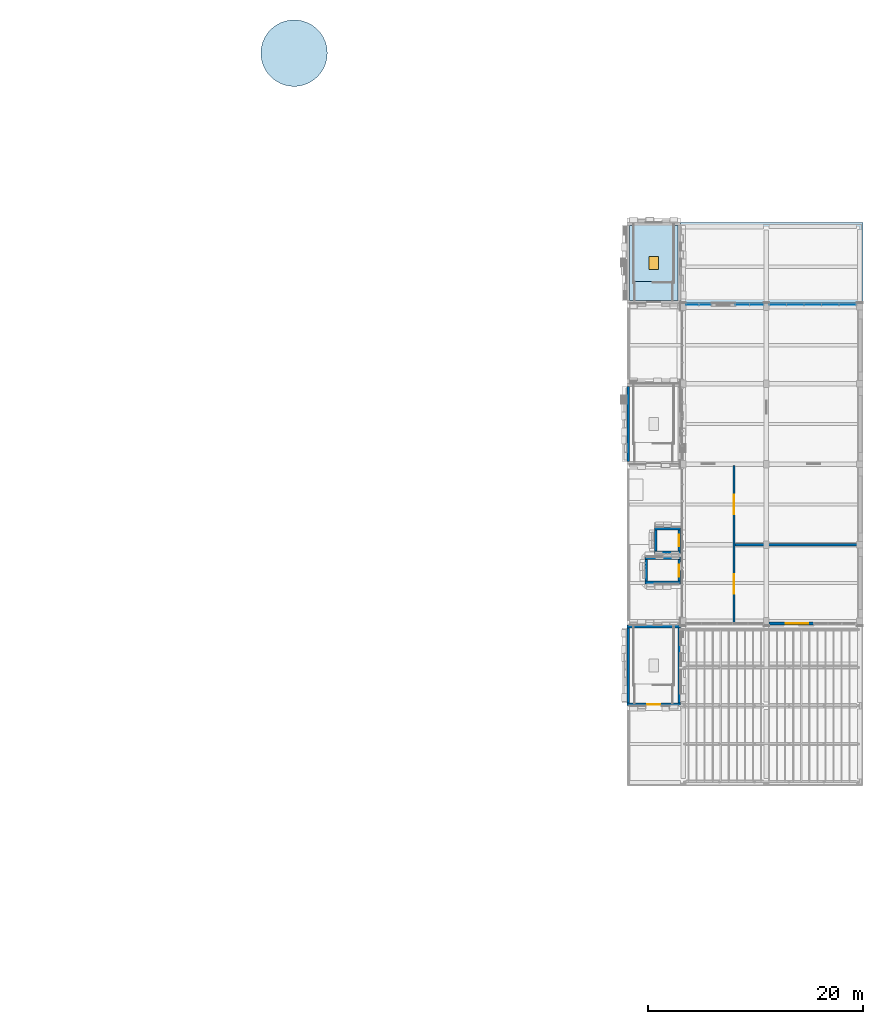
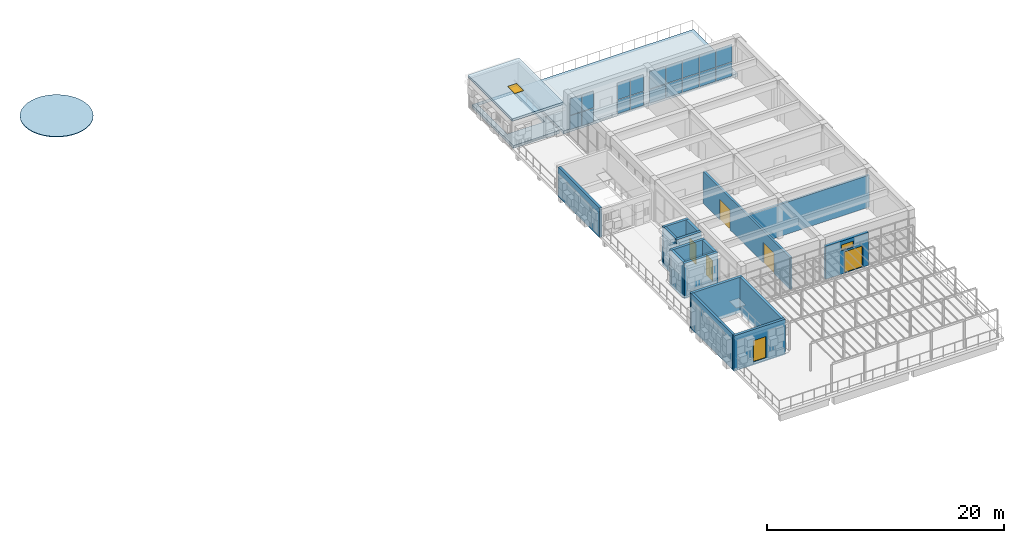
# One storey, part 17 of 26: 18 plates, 16 walls, 6 doors, 4 slabs, 2 windows, 8 openings, 3 elements without a shape of their own.
"""IFC4 building model written with IfcOpenShell, lengths in metres."""

from ifc_helpers import new_model, si_unit, direction, frame, frame_2d, origin, origin_2d, place, context, subcontext, project, spatial, polyline, rectangle, outline, extrude, material, layer, layer_set, type_object, element, fill, aggregate, save


model = new_model("IFC4")

# Units and contexts
model_context = context("Model", 3, precision=1e-05, world=origin(), true_north=direction((0.0, 1.0)))
body_context = subcontext(model_context, "Body", "Model", "MODEL_VIEW")
ifc_project = project(units=[si_unit("LENGTHUNIT", "METRE"), si_unit("AREAUNIT", "SQUARE_METRE"), si_unit("VOLUMEUNIT", "CUBIC_METRE"), si_unit("PLANEANGLEUNIT", "RADIAN"), si_unit("MASSUNIT", "GRAM", prefix="KILO")], contexts=[model_context])

# Site, building, storey
site_placement = place(None, origin())
site = spatial("IfcSite", under=ifc_project, at=site_placement, CompositionType="ELEMENT")
building_placement = place(site_placement, origin())
building = spatial("IfcBuilding", under=site, at=building_placement, Name="Sun Court Science Centre", CompositionType="ELEMENT")
storey_placement = place(building_placement, frame((0.0, 0.0, 29.25)))
storey = spatial("IfcBuildingStorey", under=building, at=storey_placement, Name="L06", CompositionType="ELEMENT", Elevation=29.25)

# Slabs
ifc_material_1 = material(Name="Zinc roofing", Category="metal")
ifc_layer_1 = layer(ifc_material_1, 0.06005859375)
ifc_layer_set_1 = layer_set([ifc_layer_1], Name="Zinc roofing")
slab_type_1 = type_object("IfcSlabType", Name="Dome roof panel 60", PredefinedType="ROOF", material=ifc_layer_set_1)
slab_1_placement = place(storey_placement, frame((54.0546875, 97.309814453125, 0.072509765625), z_axis=(0.0, 0.0, 1.0), x_axis=(-0.245904641839, 0.969294025114, 0.0)))
element("IfcSlab", 1, at=slab_1_placement, inside=storey, type_object=slab_type_1, Name="Dome crown cap", PredefinedType="ROOF", context=body_context, shape_type="SweptSolid", body=[
    extrude(outline(polyline([(0.0, 0.0), (0.5113056058420055, 0.0), (1.0159152342552862, 0.08380987974398371), (1.4997893650165057, 0.2497020211000971), (1.949647953754489, 0.4929855095186903), (2.353447217251118, 0.8068926749157697), (2.7000264159690306, 1.1831724503970953), (2.9798743243091725, 1.6111402988590853), (3.1856095131143918, 2.079571365381616), (3.311323458429693, 2.5751040041972706), (3.353774253355829, 3.084959436654643), (3.3117862549198054, 3.5945753107273353), (3.1864972197320753, 4.090565500229057), (2.981174700844991, 4.55900356115698), (2.701696330256399, 4.987315884084532), (2.3554231367743923, 5.363811903265898), (1.9517929047414064, 5.678037314108319), (1.502323671236918, 5.921780684681444), (1.0185970058560487, 6.088073838613372), (0.5140981221948099, 6.172488151556658), (0.002555872303704465, 6.172548186869607), (-0.5018171120604764, 6.088678271812675), (-0.9856912428216957, 5.922786130456561), (-1.4357864756087793, 5.679562677350917), (-1.8393490950563078, 5.365595476640888), (-2.1859282937742206, 4.989315701159564), (-2.4660128461634625, 4.561407888010523), (-2.671511390919582, 4.092916786175042), (-2.7972253362348836, 3.5973841473593877), (-2.8399127752101188, 3.0875887502149646), (-2.7976881327249954, 2.5779128408293235), (-2.6723990975372653, 2.081922651327601), (-2.467313222699281, 1.6135446257126271), (-2.1875982080615892, 1.1851722674721263), (-1.8413250145795825, 0.8086762482907608), (-1.4379314265956966, 0.4945108727612889), (-0.988225549042108, 0.25070746687521456), (-0.5044988836612389, 0.08441431294328623), (0.0, 0.0)])), origin(), (0.0, 0.0, -1.0), 0.06005859375),
])
ifc_material_2 = material(Name="Concrete C25/30", Category="concrete")
ifc_layer_2 = layer(ifc_material_2, 0.300048828125)
ifc_layer_set_2 = layer_set([ifc_layer_2], Name="Concrete C25/30")
slab_type_2 = type_object("IfcSlabType", Name="RC floor slab 300", PredefinedType="FLOOR", material=ifc_layer_set_2)
slab_2_placement = place(storey_placement, frame((0.0, 0.0, -0.300048828125)))
element("IfcSlab", 2, at=slab_2_placement, inside=storey, type_object=slab_type_2, Name="Stair SL4 landing slab L06", PredefinedType="FLOOR", context=body_context, shape_type="SweptSolid", body=[
    extrude(outline(polyline([(82.25, 80.75), (82.25, 73.75), (86.75, 73.75), (86.75, 80.75), (82.25, 80.75)]), holes=[polyline([(86.322998046875, 80.7451171875), (86.322998046875, 75.5029296875), (82.677001953125, 75.5029296875), (82.677001953125, 80.7451171875), (86.322998046875, 80.7451171875)])]), origin(), (0.0, 0.0, 1.0), 0.300048828125),
])

# Slab, opening, window
ifc_material_3 = material(Name="Concrete C25/30", Category="concrete")
ifc_layer_3 = layer(ifc_material_3, 0.25)
ifc_layer_set_3 = layer_set([ifc_layer_3], Name="Concrete C25/30")
slab_type_3 = type_object("IfcSlabType", Name="RC head-house roof 250", PredefinedType="ROOF", material=ifc_layer_set_3)
slab_3_placement = place(storey_placement, frame((0.0, 0.0, 2.75)))
slab_3 = element("IfcSlab", 3, at=slab_3_placement, inside=storey, type_object=slab_type_3, Name="Roof of core SL4", PredefinedType="ROOF", context=body_context, shape_type="SweptSolid", body=[
    extrude(outline(polyline([(82.0, 73.5), (87.0, 73.5), (87.0, 81.0), (82.0, 81.0), (82.0, 73.5)])), origin(), (0.0, 0.0, 1.0), 0.25),
])
opening_1_placement = place(slab_3_placement, frame((84.5, 77.25, -0.010009765625)))
opening_1 = element("IfcOpeningElement", 4, at=opening_1_placement, cuts=slab_3, Name="Opening WN-L06-004", PredefinedType="OPENING", context=body_context, shape_type="SweptSolid", body=[
    extrude(rectangle(XDim=0.89990234375, YDim=1.199951171875, at=origin_2d()), origin(), (0.0, 0.0, 1.0), 0.27001953125),
])
ifc_material_4 = material(Name="Aluminium frame, 6-12-6 glazing", Category="aluminium")
window_type_1 = type_object("IfcWindowType", Name="Roof smoke vent 900 x 1200", PartitioningType="SINGLE_PANEL", PredefinedType="SKYLIGHT", material=ifc_material_4)
window_1_placement = place(opening_1_placement, frame((0.0, 0.0, 0.2099609375)))
window_1 = element("IfcWindow", 5, at=window_1_placement, inside=storey, type_object=window_type_1, Name="Smoke vent head of stair SL4", OverallHeight=1.199951171875, OverallWidth=0.89990234375, PartitioningType="SINGLE_PANEL", PredefinedType="SKYLIGHT", context=body_context, shape_type="SweptSolid", body=[
    extrude(rectangle(XDim=0.89990234375, YDim=1.199951171875, at=origin_2d()), origin(), (0.0, 0.0, 1.0), 0.050048828125),
])
fill(opening_1, window_1)

# Slab
ifc_material_5 = material(Name="Concrete C25/30", Category="concrete")
ifc_layer_4 = layer(ifc_material_5, 0.300048828125)
ifc_layer_set_4 = layer_set([ifc_layer_4], Name="Concrete C25/30")
slab_type_4 = type_object("IfcSlabType", Name="RC terrace slab 300", PredefinedType="ROOF", material=ifc_layer_set_4)
slab_4_placement = place(storey_placement, frame((0.0, 0.0, -0.300048828125)))
element("IfcSlab", 6, at=slab_4_placement, inside=storey, type_object=slab_type_4, Name="Roof terrace slab L06", PredefinedType="ROOF", context=body_context, shape_type="SweptSolid", body=[
    extrude(outline(polyline([(87.0, 73.5), (104.0, 73.5), (104.0, 81.0), (87.0, 81.0), (87.0, 73.5)])), origin(), (0.0, 0.0, 1.0), 0.300048828125),
])

# Curtain wall, plates
ifc_material_6 = material(Name="Aluminium EN AW-6063 T6", Category="aluminium")
curtain_wall_type = type_object("IfcCurtainWallType", Name="Laboratory tall bay curtain wall 1500", PredefinedType="NOTDEFINED", material=ifc_material_6)
curtain_wall_1_placement = place(storey_placement, origin())
curtain_wall_1 = element("IfcCurtainWall", 7, at=curtain_wall_1_placement, inside=storey, type_object=curtain_wall_type, Name="Curtain wall V4 PN L06 01", PredefinedType="NOTDEFINED")
ifc_material_7 = material(Name="Solar-control glass", Category="glass")
ifc_layer_5 = layer(ifc_material_7, 0.028076171875)
ifc_layer_set_5 = layer_set([ifc_layer_5], Name="Solar-control glass")
plate_type = type_object("IfcPlateType", Name="Solar-control glazing panel 8-12-8", PredefinedType="CURTAIN_PANEL", material=ifc_layer_set_5)
plate_1_placement = place(storey_placement, frame((88.114990234375, 73.35009765625, 0.06005859375), z_axis=(0.0, 0.0, 1.0), x_axis=(1.0, 0.0, 0.0)))
plate_1 = element("IfcPlate", 8, at=plate_1_placement, type_object=plate_type, Name="CW2-81 panel 1.1", PredefinedType="CURTAIN_PANEL", context=body_context, shape_type="SweptSolid", body=[
    extrude(rectangle(XDim=1.110107421875, YDim=0.028076171875, at=origin_2d()), origin(), (0.0, 0.0, 1.0), 1.409912109375),
])
plate_2_placement = place(storey_placement, frame((89.284912109375, 73.35009765625, 0.06005859375), z_axis=(0.0, 0.0, 1.0), x_axis=(1.0, 0.0, 0.0)))
plate_2 = element("IfcPlate", 9, at=plate_2_placement, type_object=plate_type, Name="CW2-81 panel 2.1", PredefinedType="CURTAIN_PANEL", context=body_context, shape_type="SweptSolid", body=[
    extrude(rectangle(XDim=1.110107421875, YDim=0.028076171875, at=origin_2d()), origin(), (0.0, 0.0, 1.0), 1.409912109375),
])
plate_3_placement = place(storey_placement, frame((88.114990234375, 73.35009765625, 1.530029296875), z_axis=(0.0, 0.0, 1.0), x_axis=(1.0, 0.0, 0.0)))
plate_3 = element("IfcPlate", 10, at=plate_3_placement, type_object=plate_type, Name="CW2-81 panel 1.2", PredefinedType="CURTAIN_PANEL", context=body_context, shape_type="SweptSolid", body=[
    extrude(rectangle(XDim=1.110107421875, YDim=0.028076171875, at=origin_2d()), origin(), (0.0, 0.0, 1.0), 1.7099609375),
])
plate_4_placement = place(storey_placement, frame((89.284912109375, 73.35009765625, 1.530029296875), z_axis=(0.0, 0.0, 1.0), x_axis=(1.0, 0.0, 0.0)))
plate_4 = element("IfcPlate", 11, at=plate_4_placement, type_object=plate_type, Name="CW2-81 panel 2.2", PredefinedType="CURTAIN_PANEL", context=body_context, shape_type="SweptSolid", body=[
    extrude(rectangle(XDim=1.110107421875, YDim=0.028076171875, at=origin_2d()), origin(), (0.0, 0.0, 1.0), 1.7099609375),
])
aggregate(curtain_wall_1, [plate_1, plate_2, plate_3, plate_4])

curtain_wall_2_placement = place(storey_placement, origin())
curtain_wall_2 = element("IfcCurtainWall", 12, at=curtain_wall_2_placement, inside=storey, type_object=curtain_wall_type, Name="Curtain wall V4 PN L06 02", PredefinedType="NOTDEFINED")
plate_5_placement = place(storey_placement, frame((92.777587890625, 73.35009765625, 0.06005859375), z_axis=(0.0, 0.0, 1.0), x_axis=(1.0, 0.0, 0.0)))
plate_5 = element("IfcPlate", 13, at=plate_5_placement, type_object=plate_type, Name="CW2-82 panel 1.1", PredefinedType="CURTAIN_PANEL", context=body_context, shape_type="SweptSolid", body=[
    extrude(rectangle(XDim=1.235107421875, YDim=0.028076171875, at=origin_2d()), origin(), (0.0, 0.0, 1.0), 1.409912109375),
])
plate_6_placement = place(storey_placement, frame((94.072509765625, 73.35009765625, 0.06005859375), z_axis=(0.0, 0.0, 1.0), x_axis=(1.0, 0.0, 0.0)))
plate_6 = element("IfcPlate", 14, at=plate_6_placement, type_object=plate_type, Name="CW2-82 panel 2.1", PredefinedType="CURTAIN_PANEL", context=body_context, shape_type="SweptSolid", body=[
    extrude(rectangle(XDim=1.235107421875, YDim=0.028076171875, at=origin_2d()), origin(), (0.0, 0.0, 1.0), 1.409912109375),
])
plate_7_placement = place(storey_placement, frame((92.777587890625, 73.35009765625, 1.530029296875), z_axis=(0.0, 0.0, 1.0), x_axis=(1.0, 0.0, 0.0)))
plate_7 = element("IfcPlate", 15, at=plate_7_placement, type_object=plate_type, Name="CW2-82 panel 1.2", PredefinedType="CURTAIN_PANEL", context=body_context, shape_type="SweptSolid", body=[
    extrude(rectangle(XDim=1.235107421875, YDim=0.028076171875, at=origin_2d()), origin(), (0.0, 0.0, 1.0), 1.7099609375),
])
plate_8_placement = place(storey_placement, frame((94.072509765625, 73.35009765625, 1.530029296875), z_axis=(0.0, 0.0, 1.0), x_axis=(1.0, 0.0, 0.0)))
plate_8 = element("IfcPlate", 16, at=plate_8_placement, type_object=plate_type, Name="CW2-82 panel 2.2", PredefinedType="CURTAIN_PANEL", context=body_context, shape_type="SweptSolid", body=[
    extrude(rectangle(XDim=1.235107421875, YDim=0.028076171875, at=origin_2d()), origin(), (0.0, 0.0, 1.0), 1.7099609375),
])
aggregate(curtain_wall_2, [plate_5, plate_6, plate_7, plate_8])

curtain_wall_3_placement = place(storey_placement, origin())
curtain_wall_3 = element("IfcCurtainWall", 17, at=curtain_wall_3_placement, inside=storey, type_object=curtain_wall_type, Name="Curtain wall V4 PN L06 03", PredefinedType="NOTDEFINED")
plate_9_placement = place(storey_placement, frame((96.080078125, 73.35009765625, 0.06005859375), z_axis=(0.0, 0.0, 1.0), x_axis=(1.0, 0.0, 0.0)))
plate_9 = element("IfcPlate", 18, at=plate_9_placement, type_object=plate_type, Name="CW2-83 panel 1.1", PredefinedType="CURTAIN_PANEL", context=body_context, shape_type="SweptSolid", body=[
    extrude(rectangle(XDim=1.5400390625, YDim=0.028076171875, at=origin_2d()), origin(), (0.0, 0.0, 1.0), 1.409912109375),
])
plate_10_placement = place(storey_placement, frame((97.695068359375, 73.35009765625, 0.06005859375), z_axis=(0.0, 0.0, 1.0), x_axis=(1.0, 0.0, 0.0)))
plate_10 = element("IfcPlate", 19, at=plate_10_placement, type_object=plate_type, Name="CW2-83 panel 2.1", PredefinedType="CURTAIN_PANEL", context=body_context, shape_type="SweptSolid", body=[
    extrude(rectangle(XDim=1.570068359375, YDim=0.028076171875, at=origin_2d()), origin(), (0.0, 0.0, 1.0), 1.409912109375),
])
plate_11_placement = place(storey_placement, frame((99.324951171875, 73.35009765625, 0.06005859375), z_axis=(0.0, 0.0, 1.0), x_axis=(1.0, 0.0, 0.0)))
plate_11 = element("IfcPlate", 20, at=plate_11_placement, type_object=plate_type, Name="CW2-83 panel 3.1", PredefinedType="CURTAIN_PANEL", context=body_context, shape_type="SweptSolid", body=[
    extrude(rectangle(XDim=1.570068359375, YDim=0.028076171875, at=origin_2d()), origin(), (0.0, 0.0, 1.0), 1.409912109375),
])
plate_12_placement = place(storey_placement, frame((100.955078125, 73.35009765625, 0.06005859375), z_axis=(0.0, 0.0, 1.0), x_axis=(1.0, 0.0, 0.0)))
plate_12 = element("IfcPlate", 21, at=plate_12_placement, type_object=plate_type, Name="CW2-83 panel 4.1", PredefinedType="CURTAIN_PANEL", context=body_context, shape_type="SweptSolid", body=[
    extrude(rectangle(XDim=1.570068359375, YDim=0.028076171875, at=origin_2d()), origin(), (0.0, 0.0, 1.0), 1.409912109375),
])
plate_13_placement = place(storey_placement, frame((102.570068359375, 73.35009765625, 0.06005859375), z_axis=(0.0, 0.0, 1.0), x_axis=(1.0, 0.0, 0.0)))
plate_13 = element("IfcPlate", 22, at=plate_13_placement, type_object=plate_type, Name="CW2-83 panel 5.1", PredefinedType="CURTAIN_PANEL", context=body_context, shape_type="SweptSolid", body=[
    extrude(rectangle(XDim=1.5400390625, YDim=0.028076171875, at=origin_2d()), origin(), (0.0, 0.0, 1.0), 1.409912109375),
])
plate_14_placement = place(storey_placement, frame((96.080078125, 73.35009765625, 1.530029296875), z_axis=(0.0, 0.0, 1.0), x_axis=(1.0, 0.0, 0.0)))
plate_14 = element("IfcPlate", 23, at=plate_14_placement, type_object=plate_type, Name="CW2-83 panel 1.2", PredefinedType="CURTAIN_PANEL", context=body_context, shape_type="SweptSolid", body=[
    extrude(rectangle(XDim=1.5400390625, YDim=0.028076171875, at=origin_2d()), origin(), (0.0, 0.0, 1.0), 1.81005859375),
])
plate_15_placement = place(storey_placement, frame((97.695068359375, 73.35009765625, 1.530029296875), z_axis=(0.0, 0.0, 1.0), x_axis=(1.0, 0.0, 0.0)))
plate_15 = element("IfcPlate", 24, at=plate_15_placement, type_object=plate_type, Name="CW2-83 panel 2.2", PredefinedType="CURTAIN_PANEL", context=body_context, shape_type="SweptSolid", body=[
    extrude(rectangle(XDim=1.570068359375, YDim=0.028076171875, at=origin_2d()), origin(), (0.0, 0.0, 1.0), 1.81005859375),
])
plate_16_placement = place(storey_placement, frame((99.324951171875, 73.35009765625, 1.530029296875), z_axis=(0.0, 0.0, 1.0), x_axis=(1.0, 0.0, 0.0)))
plate_16 = element("IfcPlate", 25, at=plate_16_placement, type_object=plate_type, Name="CW2-83 panel 3.2", PredefinedType="CURTAIN_PANEL", context=body_context, shape_type="SweptSolid", body=[
    extrude(rectangle(XDim=1.570068359375, YDim=0.028076171875, at=origin_2d()), origin(), (0.0, 0.0, 1.0), 1.81005859375),
])
plate_17_placement = place(storey_placement, frame((100.955078125, 73.35009765625, 1.530029296875), z_axis=(0.0, 0.0, 1.0), x_axis=(1.0, 0.0, 0.0)))
plate_17 = element("IfcPlate", 26, at=plate_17_placement, type_object=plate_type, Name="CW2-83 panel 4.2", PredefinedType="CURTAIN_PANEL", context=body_context, shape_type="SweptSolid", body=[
    extrude(rectangle(XDim=1.570068359375, YDim=0.028076171875, at=origin_2d()), origin(), (0.0, 0.0, 1.0), 1.81005859375),
])
plate_18_placement = place(storey_placement, frame((102.570068359375, 73.35009765625, 1.530029296875), z_axis=(0.0, 0.0, 1.0), x_axis=(1.0, 0.0, 0.0)))
plate_18 = element("IfcPlate", 27, at=plate_18_placement, type_object=plate_type, Name="CW2-83 panel 5.2", PredefinedType="CURTAIN_PANEL", context=body_context, shape_type="SweptSolid", body=[
    extrude(rectangle(XDim=1.5400390625, YDim=0.028076171875, at=origin_2d()), origin(), (0.0, 0.0, 1.0), 1.81005859375),
])
aggregate(curtain_wall_3, [plate_9, plate_10, plate_11, plate_12, plate_13, plate_14, plate_15, plate_16, plate_17, plate_18])

# Wall, openings, door, window
ifc_material_8 = material(Name="Clay masonry", Category="masonry")
ifc_layer_6 = layer(ifc_material_8, 0.300048828125)
ifc_layer_set_6 = layer_set([ifc_layer_6], Name="Clay masonry")
wall_type_1 = type_object("IfcWallType", Name="Clay masonry infill wall 300", PredefinedType="SOLIDWALL", material=ifc_layer_set_6)
wall_1_placement = place(storey_placement, frame((99.4599609375, 43.64990234375, 0.0), z_axis=(0.0, 0.0, 1.0), x_axis=(-1.0, 0.0, 0.0)))
wall_1 = element("IfcWall", 28, at=wall_1_placement, inside=storey, type_object=wall_type_1, Name="External infill wall L06 observatory south face 01", PredefinedType="SOLIDWALL", context=body_context, shape_type="SweptSolid", body=[
    extrude(rectangle(XDim=4.2099609375, YDim=0.300048828125, at=frame_2d((2.10498046875, 0.0))), origin(), (0.0, 0.0, 1.0), 3.39990234375),
])
opening_2_placement = place(wall_1_placement, frame((0.56005859375, 0.0, 0.0)))
opening_2 = element("IfcOpeningElement", 29, at=opening_2_placement, cuts=wall_1, Name="Opening D-L06-011", PredefinedType="OPENING", context=body_context, shape_type="SweptSolid", body=[
    extrude(rectangle(XDim=1.800048828125, YDim=2.199951171875, at=frame_2d((0.89990234375, 1.10009765625))), frame((0.0, 0.159912109375, 0.0), z_axis=(0.0, -1.0, 0.0), x_axis=(1.0, 0.0, 0.0)), (0.0, 0.0, 1.0), 0.320068359375),
])
opening_3_placement = place(wall_1_placement, frame((1.4599609375, 0.0, 2.39990234375)))
opening_3 = element("IfcOpeningElement", 30, at=opening_3_placement, cuts=wall_1, Name="Opening WN-L06-001", PredefinedType="OPENING", context=body_context, shape_type="SweptSolid", body=[
    extrude(rectangle(XDim=1.199951171875, YDim=0.60009765625, at=frame_2d((0.60009765625, 0.300048828125))), frame((0.0, 0.159912109375, 0.0), z_axis=(0.0, -1.0, 0.0), x_axis=(1.0, 0.0, 0.0)), (0.0, 0.0, 1.0), 0.320068359375),
])
ifc_material_9 = material(Name="Steel and glass", Category="steel")
door_type_1 = type_object("IfcDoorType", Name="Exterior door 1800 x 2200 double", OperationType="DOUBLE_DOOR_SINGLE_SWING", PredefinedType="DOOR", material=ifc_material_9)
door_1_placement = place(opening_2_placement, origin())
door_1 = element("IfcDoor", 31, at=door_1_placement, inside=storey, type_object=door_type_1, Name="Exterior door D-L06-011 to the observatory terrace", OperationType="SINGLE_SWING_LEFT", OverallHeight=2.199951171875, OverallWidth=1.800048828125, PredefinedType="DOOR", context=body_context, shape_type="SweptSolid", body=[
    extrude(rectangle(XDim=1.800048828125, YDim=2.199951171875, at=frame_2d((0.89990234375, 1.10009765625))), frame((0.0, 0.02490234375, 0.0), z_axis=(0.0, -1.0, 0.0), x_axis=(1.0, 0.0, 0.0)), (0.0, 0.0, 1.0), 0.050048828125),
])
fill(opening_2, door_1)
ifc_material_10 = material(Name="Aluminium frame, 6-12-6 glazing", Category="aluminium")
window_type_2 = type_object("IfcWindowType", Name="Smoke vent opening light 1200 x 600", PartitioningType="SINGLE_PANEL", PredefinedType="WINDOW", material=ifc_material_10)
window_2_placement = place(opening_3_placement, origin())
window_2 = element("IfcWindow", 32, at=window_2_placement, inside=storey, type_object=window_type_2, Name="Smoke vent L06 observatory south face", OverallHeight=0.60009765625, OverallWidth=1.199951171875, PartitioningType="SINGLE_PANEL", PredefinedType="WINDOW", context=body_context, shape_type="SweptSolid", body=[
    extrude(rectangle(XDim=1.199951171875, YDim=0.60009765625, at=frame_2d((0.60009765625, 0.300048828125))), frame((0.0, 0.030029296875, 0.0), z_axis=(0.0, -1.0, 0.0), x_axis=(1.0, 0.0, 0.0)), (0.0, 0.0, 1.0), 0.06005859375),
])
fill(opening_3, window_2)

# Wall
ifc_material_11 = material(Name="Gypsum board")
ifc_layer_7 = layer(ifc_material_11, 0.199951171875)
ifc_layer_set_7 = layer_set([ifc_layer_7], Name="Gypsum board")
wall_type_2 = type_object("IfcWallType", Name="Partition 200 acoustic double stud", PredefinedType="PARTITIONING", material=ifc_layer_set_7)
wall_2_placement = place(storey_placement, frame((92.10009765625, 51.0, 0.0), z_axis=(0.0, 0.0, 1.0), x_axis=(1.0, 0.0, 0.0)))
element("IfcWall", 33, at=wall_2_placement, inside=storey, type_object=wall_type_2, Name="L06 partition 001", PredefinedType="PARTITIONING", context=body_context, shape_type="SweptSolid", body=[
    extrude(rectangle(XDim=11.699951171875, YDim=0.199951171875, at=frame_2d((5.85009765625, 0.0))), origin(), (0.0, 0.0, 1.0), 3.300048828125),
])

# Wall, openings, doors
ifc_material_12 = material(Name="Concrete block", Category="concrete")
ifc_layer_8 = layer(ifc_material_12, 0.199951171875)
ifc_layer_set_8 = layer_set([ifc_layer_8], Name="Concrete block")
wall_type_3 = type_object("IfcWallType", Name="Partition 200 block EI60", PredefinedType="PARTITIONING", material=ifc_layer_set_8)
wall_3_placement = place(storey_placement, frame((92.0, 58.39990234375, 0.0), z_axis=(0.0, 0.0, 1.0), x_axis=(0.0, -1.0, 0.0)))
wall_3 = element("IfcWall", 34, at=wall_3_placement, inside=storey, type_object=wall_type_3, Name="L06 partition 004", PredefinedType="PARTITIONING", context=body_context, shape_type="SweptSolid", body=[
    extrude(rectangle(XDim=14.699951171875, YDim=0.199951171875, at=frame_2d((7.35009765625, 0.0))), origin(), (0.0, 0.0, 1.0), 3.300048828125),
])
opening_4_placement = place(wall_3_placement, frame((10.14892578125, 0.0, 0.0)))
opening_4 = element("IfcOpeningElement", 35, at=opening_4_placement, cuts=wall_3, Name="Opening D-L06-004", PredefinedType="OPENING", context=body_context, shape_type="SweptSolid", body=[
    extrude(rectangle(XDim=1.800048828125, YDim=2.10009765625, at=frame_2d((0.89990234375, 1.050048828125))), frame((0.0, 0.10986328125, 0.0), z_axis=(0.0, -1.0, 0.0), x_axis=(1.0, 0.0, 0.0)), (0.0, 0.0, 1.0), 0.219970703125),
])
opening_5_placement = place(wall_3_placement, frame((2.75, 0.0, 0.0)))
opening_5 = element("IfcOpeningElement", 36, at=opening_5_placement, cuts=wall_3, Name="Opening D-L06-005", PredefinedType="OPENING", context=body_context, shape_type="SweptSolid", body=[
    extrude(rectangle(XDim=1.800048828125, YDim=2.10009765625, at=frame_2d((0.89990234375, 1.050048828125))), frame((0.0, 0.10986328125, 0.0), z_axis=(0.0, -1.0, 0.0), x_axis=(1.0, 0.0, 0.0)), (0.0, 0.0, 1.0), 0.219970703125),
])
ifc_material_13 = material(Name="Timber", Category="wood")
door_type_2 = type_object("IfcDoorType", Name="Door 1800x2100 double leaf", OperationType="DOUBLE_DOOR_SINGLE_SWING", PredefinedType="DOOR", material=ifc_material_13)
door_2_placement = place(opening_4_placement, origin())
door_2 = element("IfcDoor", 37, at=door_2_placement, inside=storey, type_object=door_type_2, Name="Door D-L06-004", OperationType="DOUBLE_DOOR_SINGLE_SWING", OverallHeight=2.10009765625, OverallWidth=1.800048828125, PredefinedType="DOOR", context=body_context, shape_type="SweptSolid", body=[
    extrude(rectangle(XDim=1.800048828125, YDim=2.10009765625, at=frame_2d((0.89990234375, 1.050048828125))), frame((0.0, 0.02490234375, 0.0), z_axis=(0.0, -1.0, 0.0), x_axis=(1.0, 0.0, 0.0)), (0.0, 0.0, 1.0), 0.050048828125),
])
fill(opening_4, door_2)
door_3_placement = place(opening_5_placement, origin())
door_3 = element("IfcDoor", 38, at=door_3_placement, inside=storey, type_object=door_type_2, Name="Door D-L06-005", OperationType="DOUBLE_DOOR_SINGLE_SWING", OverallHeight=2.10009765625, OverallWidth=1.800048828125, PredefinedType="DOOR", context=body_context, shape_type="SweptSolid", body=[
    extrude(rectangle(XDim=1.800048828125, YDim=2.10009765625, at=frame_2d((0.89990234375, 1.050048828125))), frame((0.0, 0.02490234375, 0.0), z_axis=(0.0, -1.0, 0.0), x_axis=(1.0, 0.0, 0.0)), (0.0, 0.0, 1.0), 0.050048828125),
])
fill(opening_5, door_3)

# Wall
ifc_material_14 = material(Name="Concrete C30/37", Category="concrete")
ifc_layer_9 = layer(ifc_material_14, 0.25)
ifc_layer_set_9 = layer_set([ifc_layer_9], Name="Concrete C30/37")
wall_type_4 = type_object("IfcWallType", Name="RC shaft wall 250", PredefinedType="SHEAR", material=ifc_layer_set_9)
wall_4_placement = place(storey_placement, frame((83.699951171875, 47.47509765625, -0.300048828125), z_axis=(0.0, 0.0, 1.0), x_axis=(1.0, 0.0, 0.0)))
element("IfcWall", 39, at=wall_4_placement, inside=storey, type_object=wall_type_4, Name="Lift core LL1 wall S, L06", PredefinedType="SHEAR", context=body_context, shape_type="SweptSolid", body=[
    extrude(rectangle(XDim=3.300048828125, YDim=0.25, at=frame_2d((1.64990234375, 0.0))), origin(), (0.0, 0.0, 1.0), 3.650146484375),
])

# Wall, opening, door
wall_5_placement = place(storey_placement, frame((86.875, 47.60009765625, -0.300048828125), z_axis=(0.0, 0.0, 1.0), x_axis=(0.0, 1.0, 0.0)))
wall_5 = element("IfcWall", 40, at=wall_5_placement, inside=storey, type_object=wall_type_4, Name="Lift core LL1 wall E, L06", PredefinedType="SHEAR", context=body_context, shape_type="SweptSolid", body=[
    extrude(rectangle(XDim=2.0, YDim=0.25, at=frame_2d((1.0, 0.0))), origin(), (0.0, 0.0, 1.0), 3.650146484375),
])
opening_6_placement = place(wall_5_placement, frame((0.424072265625, 0.0, 0.300048828125)))
opening_6 = element("IfcOpeningElement", 41, at=opening_6_placement, cuts=wall_5, Name="Opening D-L06-001", PredefinedType="OPENING", context=body_context, shape_type="SweptSolid", body=[
    extrude(rectangle(XDim=1.10009765625, YDim=2.10009765625, at=frame_2d((0.550048828125, 1.050048828125))), frame((0.0, 0.135009765625, 0.0), z_axis=(0.0, -1.0, 0.0), x_axis=(1.0, 0.0, 0.0)), (0.0, 0.0, 1.0), 0.27001953125),
])
ifc_material_15 = material(Name="Steel", Category="steel")
door_type_3 = type_object("IfcDoorType", Name="Lift landing door 1100x2100 sliding", OperationType="DOUBLE_DOOR_SLIDING", PredefinedType="DOOR", material=ifc_material_15)
door_4_placement = place(opening_6_placement, origin())
door_4 = element("IfcDoor", 42, at=door_4_placement, inside=storey, type_object=door_type_3, Name="Lift landing door D-L06-001", OperationType="DOUBLE_DOOR_SLIDING", OverallHeight=2.10009765625, OverallWidth=1.10009765625, PredefinedType="DOOR", context=body_context, shape_type="SweptSolid", body=[
    extrude(rectangle(XDim=1.10009765625, YDim=2.10009765625, at=frame_2d((0.550048828125, 1.050048828125))), frame((0.0, 0.02490234375, 0.0), z_axis=(0.0, -1.0, 0.0), x_axis=(1.0, 0.0, 0.0)), (0.0, 0.0, 1.0), 0.050048828125),
])
fill(opening_6, door_4)

# Walls
wall_6_placement = place(storey_placement, frame((83.699951171875, 49.72509765625, -0.300048828125), z_axis=(0.0, 0.0, 1.0), x_axis=(1.0, 0.0, 0.0)))
element("IfcWall", 43, at=wall_6_placement, inside=storey, type_object=wall_type_4, Name="Lift core LL1 wall N, L06", PredefinedType="SHEAR", context=body_context, shape_type="SweptSolid", body=[
    extrude(rectangle(XDim=3.300048828125, YDim=0.25, at=frame_2d((1.64990234375, 0.0))), origin(), (0.0, 0.0, 1.0), 3.650146484375),
])
wall_7_placement = place(storey_placement, frame((83.824951171875, 47.60009765625, -0.300048828125), z_axis=(0.0, 0.0, 1.0), x_axis=(0.0, 1.0, 0.0)))
element("IfcWall", 44, at=wall_7_placement, inside=storey, type_object=wall_type_4, Name="Lift core LL1 wall W, L06", PredefinedType="SHEAR", context=body_context, shape_type="SweptSolid", body=[
    extrude(rectangle(XDim=2.0, YDim=0.25, at=frame_2d((1.0, 0.0))), origin(), (0.0, 0.0, 1.0), 3.650146484375),
])
wall_8_placement = place(storey_placement, frame((84.577392578125, 50.3125, -0.300048828125), z_axis=(0.0, 0.0, 1.0), x_axis=(1.0, 0.0, 0.0)))
element("IfcWall", 45, at=wall_8_placement, inside=storey, type_object=wall_type_4, Name="Lift core LL2 wall S, L06", PredefinedType="SHEAR", context=body_context, shape_type="SweptSolid", body=[
    extrude(rectangle(XDim=2.425048828125, YDim=0.25, at=frame_2d((1.21240234375, 0.0))), origin(), (0.0, 0.0, 1.0), 4.050048828125),
])

# Wall, opening, door
wall_9_placement = place(storey_placement, frame((86.87744140625, 50.4375, -0.300048828125), z_axis=(0.0, 0.0, 1.0), x_axis=(0.0, 1.0, 0.0)))
wall_9 = element("IfcWall", 46, at=wall_9_placement, inside=storey, type_object=wall_type_4, Name="Lift core LL2 wall E, L06", PredefinedType="SHEAR", context=body_context, shape_type="SweptSolid", body=[
    extrude(rectangle(XDim=1.925048828125, YDim=0.25, at=frame_2d((0.96240234375, 0.0))), origin(), (0.0, 0.0, 1.0), 4.050048828125),
])
opening_7_placement = place(wall_9_placement, frame((0.41259765625, 0.0, 0.300048828125)))
opening_7 = element("IfcOpeningElement", 47, at=opening_7_placement, cuts=wall_9, Name="Opening D-L06-002", PredefinedType="OPENING", context=body_context, shape_type="SweptSolid", body=[
    extrude(rectangle(XDim=1.10009765625, YDim=2.10009765625, at=frame_2d((0.550048828125, 1.050048828125))), frame((0.0, 0.135009765625, 0.0), z_axis=(0.0, -1.0, 0.0), x_axis=(1.0, 0.0, 0.0)), (0.0, 0.0, 1.0), 0.27001953125),
])
door_5_placement = place(opening_7_placement, origin())
door_5 = element("IfcDoor", 48, at=door_5_placement, inside=storey, type_object=door_type_3, Name="Lift landing door D-L06-002", OperationType="DOUBLE_DOOR_SLIDING", OverallHeight=2.10009765625, OverallWidth=1.10009765625, PredefinedType="DOOR", context=body_context, shape_type="SweptSolid", body=[
    extrude(rectangle(XDim=1.10009765625, YDim=2.10009765625, at=frame_2d((0.550048828125, 1.050048828125))), frame((0.0, 0.02490234375, 0.0), z_axis=(0.0, -1.0, 0.0), x_axis=(1.0, 0.0, 0.0)), (0.0, 0.0, 1.0), 0.050048828125),
])
fill(opening_7, door_5)

# Walls
wall_10_placement = place(storey_placement, frame((84.577392578125, 52.487548828125, -0.300048828125), z_axis=(0.0, 0.0, 1.0), x_axis=(1.0, 0.0, 0.0)))
element("IfcWall", 49, at=wall_10_placement, inside=storey, type_object=wall_type_4, Name="Lift core LL2 wall N, L06", PredefinedType="SHEAR", context=body_context, shape_type="SweptSolid", body=[
    extrude(rectangle(XDim=2.425048828125, YDim=0.25, at=frame_2d((1.21240234375, 0.0))), origin(), (0.0, 0.0, 1.0), 4.050048828125),
])
wall_11_placement = place(storey_placement, frame((84.702392578125, 50.4375, -0.300048828125), z_axis=(0.0, 0.0, 1.0), x_axis=(0.0, 1.0, 0.0)))
element("IfcWall", 50, at=wall_11_placement, inside=storey, type_object=wall_type_4, Name="Lift core LL2 wall W, L06", PredefinedType="SHEAR", context=body_context, shape_type="SweptSolid", body=[
    extrude(rectangle(XDim=1.925048828125, YDim=0.25, at=frame_2d((0.96240234375, 0.0))), origin(), (0.0, 0.0, 1.0), 4.050048828125),
])

# Wall, opening, door
ifc_material_16 = material(Name="Concrete C30/37", Category="concrete")
ifc_layer_10 = layer(ifc_material_16, 0.25)
ifc_layer_set_10 = layer_set([ifc_layer_10], Name="Concrete C30/37")
wall_type_5 = type_object("IfcWallType", Name="RC stair core wall 250", PredefinedType="SHEAR", material=ifc_layer_set_10)
wall_12_placement = place(storey_placement, frame((82.0, 36.125, -0.300048828125), z_axis=(0.0, 0.0, 1.0), x_axis=(1.0, 0.0, 0.0)))
wall_12 = element("IfcWall", 51, at=wall_12_placement, inside=storey, type_object=wall_type_5, Name="Stair core SL2 wall S, L06", PredefinedType="SHEAR", context=body_context, shape_type="SweptSolid", body=[
    extrude(rectangle(XDim=5.0, YDim=0.25, at=frame_2d((2.5, 0.0))), origin(), (0.0, 0.0, 1.0), 3.650146484375),
])
opening_8_placement = place(wall_12_placement, frame((1.89990234375, 0.0, 0.300048828125)))
opening_8 = element("IfcOpeningElement", 52, at=opening_8_placement, cuts=wall_12, Name="Opening D-L06-009", PredefinedType="OPENING", context=body_context, shape_type="SweptSolid", body=[
    extrude(rectangle(XDim=1.199951171875, YDim=2.199951171875, at=frame_2d((0.60009765625, 1.10009765625))), frame((0.0, 0.135009765625, 0.0), z_axis=(0.0, -1.0, 0.0), x_axis=(1.0, 0.0, 0.0)), (0.0, 0.0, 1.0), 0.27001953125),
])
ifc_material_17 = material(Name="Steel and glass", Category="steel")
door_type_4 = type_object("IfcDoorType", Name="Exterior door 1200 x 2200 single", OperationType="SINGLE_SWING_LEFT", PredefinedType="DOOR", material=ifc_material_17)
door_6_placement = place(opening_8_placement, origin())
door_6 = element("IfcDoor", 53, at=door_6_placement, inside=storey, type_object=door_type_4, Name="Exterior door D-L06-009 to the observatory terrace", OperationType="SINGLE_SWING_LEFT", OverallHeight=2.199951171875, OverallWidth=1.199951171875, PredefinedType="DOOR", context=body_context, shape_type="SweptSolid", body=[
    extrude(rectangle(XDim=1.199951171875, YDim=2.199951171875, at=frame_2d((0.60009765625, 1.10009765625))), frame((0.0, 0.02490234375, 0.0), z_axis=(0.0, -1.0, 0.0), x_axis=(1.0, 0.0, 0.0)), (0.0, 0.0, 1.0), 0.050048828125),
])
fill(opening_8, door_6)

# Walls
wall_13_placement = place(storey_placement, frame((86.875, 36.25, -0.300048828125), z_axis=(0.0, 0.0, 1.0), x_axis=(0.0, 1.0, 0.0)))
element("IfcWall", 54, at=wall_13_placement, inside=storey, type_object=wall_type_5, Name="Stair core SL2 wall E, L06", PredefinedType="SHEAR", context=body_context, shape_type="SweptSolid", body=[
    extrude(rectangle(XDim=7.0, YDim=0.25, at=frame_2d((3.5, 0.0))), origin(), (0.0, 0.0, 1.0), 3.650146484375),
])
wall_14_placement = place(storey_placement, frame((82.0, 43.375, -0.300048828125), z_axis=(0.0, 0.0, 1.0), x_axis=(1.0, 0.0, 0.0)))
element("IfcWall", 55, at=wall_14_placement, inside=storey, type_object=wall_type_5, Name="Stair core SL2 wall N, L06", PredefinedType="SHEAR", context=body_context, shape_type="SweptSolid", body=[
    extrude(rectangle(XDim=5.0, YDim=0.25, at=frame_2d((2.5, 0.0))), origin(), (0.0, 0.0, 1.0), 3.650146484375),
])
wall_15_placement = place(storey_placement, frame((82.125, 36.25, -0.300048828125), z_axis=(0.0, 0.0, 1.0), x_axis=(0.0, 1.0, 0.0)))
element("IfcWall", 56, at=wall_15_placement, inside=storey, type_object=wall_type_5, Name="Stair core SL2 wall W, L06", PredefinedType="SHEAR", context=body_context, shape_type="SweptSolid", body=[
    extrude(rectangle(XDim=7.0, YDim=0.25, at=frame_2d((3.5, 0.0))), origin(), (0.0, 0.0, 1.0), 3.650146484375),
])
wall_16_placement = place(storey_placement, frame((82.125, 58.75, -0.300048828125), z_axis=(0.0, 0.0, 1.0), x_axis=(0.0, 1.0, 0.0)))
element("IfcWall", 57, at=wall_16_placement, inside=storey, type_object=wall_type_5, Name="Stair core SL3 wall W, L06", PredefinedType="SHEAR", context=body_context, shape_type="SweptSolid", body=[
    extrude(rectangle(XDim=7.0, YDim=0.25, at=frame_2d((3.5, 0.0))), origin(), (0.0, 0.0, 1.0), 3.050048828125),
])

save(model, "model.ifc")
